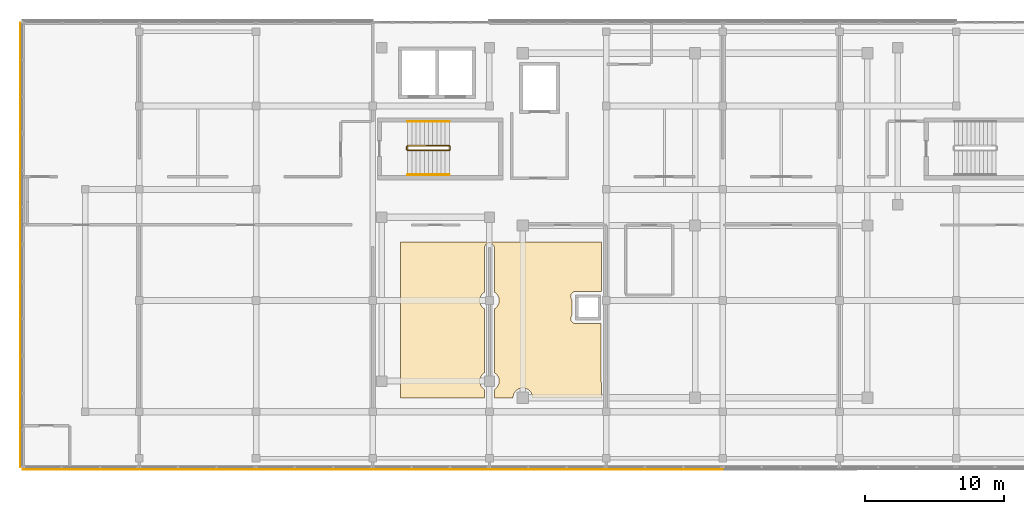
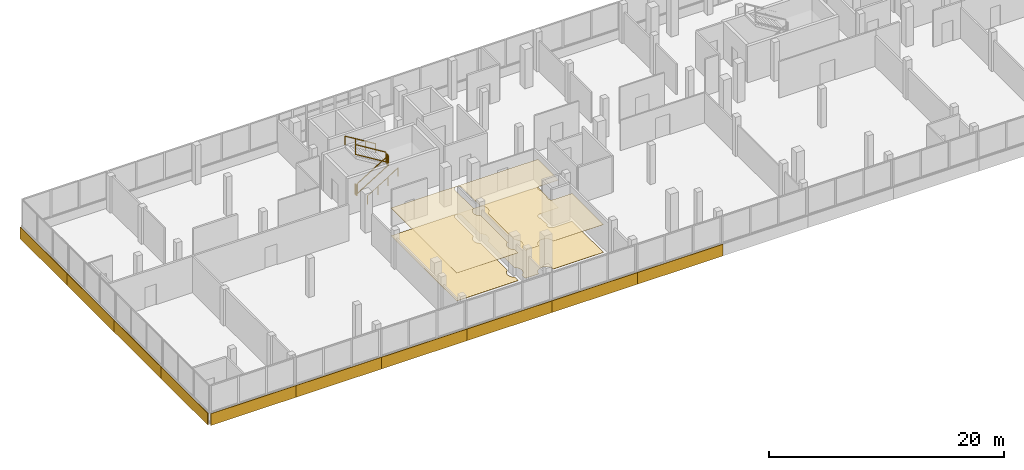
# One storey, part 61 of 66: 12 coverings, 6 railings.
"""IFC4 building model written with IfcOpenShell, lengths in metres."""

from ifc_helpers import new_model, si_unit, direction, frame, origin, origin_2d, place, context, subcontext, project, spatial, polyline, rectangle, circle, outline, extrude, material, layer, layer_set, type_object, element, save


model = new_model("IFC4")

# Units and contexts
model_context = context("Model", 3, precision=1e-05, world=origin(), true_north=direction((0.0, 1.0)))
body_context = subcontext(model_context, "Body", "Model", "MODEL_VIEW")
ifc_project = project(units=[si_unit("LENGTHUNIT", "METRE"), si_unit("AREAUNIT", "SQUARE_METRE"), si_unit("VOLUMEUNIT", "CUBIC_METRE"), si_unit("PLANEANGLEUNIT", "RADIAN"), si_unit("MASSUNIT", "GRAM", prefix="KILO")], contexts=[model_context])

# Site, building, storey
site_placement = place(None, origin())
site = spatial("IfcSite", under=ifc_project, at=site_placement, CompositionType="ELEMENT")
building_placement = place(site_placement, origin())
building = spatial("IfcBuilding", under=site, at=building_placement, Name="Selatvlak General Hospital", CompositionType="ELEMENT")
storey_placement = place(building_placement, frame((0.0, 0.0, 31.35009765625)))
storey = spatial("IfcBuildingStorey", under=building, at=storey_placement, Name="L07", CompositionType="ELEMENT", Elevation=31.35009765625)

# Coverings
ifc_material_1 = material(Name="Acoustic mineral fibre ceiling tile")
ifc_layer_1 = layer(ifc_material_1, 0.02490234375, Name="Acoustic mineral fibre ceiling tile")
ifc_layer_set_1 = layer_set([ifc_layer_1], Name="Acoustic mineral fibre ceiling tile")
covering_type_1 = type_object("IfcCoveringType", Name="COV-CEIL1", PredefinedType="CEILING", material=ifc_layer_set_1)
covering_1_placement = place(storey_placement, frame((0.0, 0.0, 2.885009765625)))
element("IfcCovering", 1, at=covering_1_placement, inside=storey, type_object=covering_type_1, Name="L07 clinical acoustic ceiling 015", PredefinedType="CEILING", context=body_context, shape_type="SweptSolid", body=[
    extrude(outline(polyline([(50.0, 104.199951171875), (64.449951171875, 104.199951171875), (64.449951171875, 100.64599609375), (64.39990234375, 100.64990234375), (62.60009765625, 100.64990234375), (62.56591796875, 100.64794921875), (62.531982421875, 100.64306640625), (62.498046875, 100.635009765625), (62.466064453125, 100.623046875), (62.43505859375, 100.60888671875), (62.406005859375, 100.591064453125), (62.3779296875, 100.571044921875), (62.35302734375, 100.547119140625), (62.3291015625, 100.52197265625), (62.30908203125, 100.493896484375), (62.291015625, 100.465087890625), (62.277099609375, 100.43408203125), (62.264892578125, 100.402099609375), (62.257080078125, 100.367919921875), (62.251953125, 100.333984375), (62.25, 100.300048828125), (62.251953125, 100.26611328125), (62.257080078125, 100.23193359375), (62.264892578125, 100.197998046875), (62.277099609375, 100.166015625), (62.291015625, 100.135009765625), (62.30908203125, 100.10595703125), (62.3291015625, 100.077880859375), (62.35009765625, 100.054931640625), (62.35009765625, 98.945068359375), (62.3291015625, 98.922119140625), (62.30908203125, 98.89404296875), (62.291015625, 98.864990234375), (62.277099609375, 98.833984375), (62.264892578125, 98.802001953125), (62.257080078125, 98.76806640625), (62.251953125, 98.73388671875), (62.25, 98.699951171875), (62.251953125, 98.666015625), (62.257080078125, 98.632080078125), (62.264892578125, 98.597900390625), (62.277099609375, 98.56591796875), (62.291015625, 98.534912109375), (62.30908203125, 98.506103515625), (62.3291015625, 98.47802734375), (62.35302734375, 98.452880859375), (62.3779296875, 98.428955078125), (62.406005859375, 98.408935546875), (62.43505859375, 98.39111328125), (62.466064453125, 98.376953125), (62.498046875, 98.364990234375), (62.531982421875, 98.35693359375), (62.56591796875, 98.35205078125), (62.60009765625, 98.35009765625), (64.39990234375, 98.35009765625), (64.43408203125, 98.35205078125), (64.449951171875, 93.0), (59.5, 93.0), (59.4970703125, 93.069091796875), (59.487060546875, 93.136962890625), (59.469970703125, 93.202880859375), (59.447021484375, 93.26806640625), (59.4169921875, 93.330078125), (59.382080078125, 93.388916015625), (59.341064453125, 93.444091796875), (59.294921875, 93.4951171875), (59.243896484375, 93.541015625), (59.18896484375, 93.58203125), (59.1298828125, 93.616943359375), (59.068115234375, 93.64697265625), (59.0029296875, 93.669921875), (58.93701171875, 93.68701171875), (58.868896484375, 93.697021484375), (58.800048828125, 93.699951171875), (58.73095703125, 93.697021484375), (58.6630859375, 93.68701171875), (58.596923828125, 93.669921875), (58.531982421875, 93.64697265625), (58.469970703125, 93.616943359375), (58.410888671875, 93.58203125), (58.35595703125, 93.541015625), (58.304931640625, 93.4951171875), (58.259033203125, 93.444091796875), (58.218017578125, 93.388916015625), (58.18310546875, 93.330078125), (58.153076171875, 93.26806640625), (58.1298828125, 93.202880859375), (58.113037109375, 93.136962890625), (58.10302734375, 93.069091796875), (58.10009765625, 93.0), (56.75, 93.0), (56.75, 93.594970703125), (56.7890625, 93.617919921875), (56.843994140625, 93.658935546875), (56.89501953125, 93.705078125), (56.94091796875, 93.756103515625), (56.98193359375, 93.81103515625), (57.01708984375, 93.8701171875), (57.047119140625, 93.931884765625), (57.070068359375, 93.9970703125), (57.0869140625, 94.06298828125), (57.096923828125, 94.131103515625), (57.10009765625, 94.199951171875), (57.096923828125, 94.26904296875), (57.0869140625, 94.3369140625), (57.070068359375, 94.403076171875), (57.047119140625, 94.468017578125), (57.01708984375, 94.530029296875), (56.98193359375, 94.589111328125), (56.94091796875, 94.64404296875), (56.89501953125, 94.695068359375), (56.843994140625, 94.740966796875), (56.7890625, 94.781982421875), (56.75, 94.804931640625), (56.75, 99.39501953125), (56.7890625, 99.41796875), (56.843994140625, 99.458984375), (56.89501953125, 99.5048828125), (56.94091796875, 99.555908203125), (56.98193359375, 99.611083984375), (57.01708984375, 99.669921875), (57.047119140625, 99.73193359375), (57.070068359375, 99.797119140625), (57.0869140625, 99.863037109375), (57.096923828125, 99.930908203125), (57.10009765625, 100.0), (57.096923828125, 100.069091796875), (57.0869140625, 100.136962890625), (57.070068359375, 100.202880859375), (57.047119140625, 100.26806640625), (57.01708984375, 100.330078125), (56.98193359375, 100.388916015625), (56.94091796875, 100.444091796875), (56.89501953125, 100.4951171875), (56.843994140625, 100.541015625), (56.7890625, 100.58203125), (56.75, 100.60498046875), (56.75, 103.7900390625), (56.748046875, 103.823974609375), (56.742919921875, 103.85791015625), (56.735107421875, 103.89208984375), (56.722900390625, 103.924072265625), (56.708984375, 103.955078125), (56.69091796875, 103.98388671875), (56.6708984375, 104.011962890625), (56.64697265625, 104.037109375), (56.6220703125, 104.06103515625), (56.593994140625, 104.0810546875), (56.56494140625, 104.09912109375), (56.533935546875, 104.113037109375), (56.501953125, 104.125), (56.468017578125, 104.133056640625), (56.43408203125, 104.137939453125), (56.39990234375, 104.139892578125), (56.365966796875, 104.137939453125), (56.33203125, 104.133056640625), (56.298095703125, 104.125), (56.26611328125, 104.113037109375), (56.235107421875, 104.09912109375), (56.2060546875, 104.0810546875), (56.177978515625, 104.06103515625), (56.153076171875, 104.037109375), (56.12890625, 104.011962890625), (56.10888671875, 103.98388671875), (56.091064453125, 103.955078125), (56.076904296875, 103.924072265625), (56.06494140625, 103.89208984375), (56.056884765625, 103.85791015625), (56.052001953125, 103.823974609375), (56.050048828125, 103.7900390625), (56.050048828125, 100.60498046875), (56.010986328125, 100.58203125), (55.9560546875, 100.541015625), (55.905029296875, 100.4951171875), (55.85888671875, 100.444091796875), (55.818115234375, 100.388916015625), (55.782958984375, 100.330078125), (55.7529296875, 100.26806640625), (55.72998046875, 100.202880859375), (55.712890625, 100.136962890625), (55.702880859375, 100.069091796875), (55.699951171875, 100.0), (55.702880859375, 99.930908203125), (55.712890625, 99.863037109375), (55.72998046875, 99.797119140625), (55.7529296875, 99.73193359375), (55.782958984375, 99.669921875), (55.818115234375, 99.611083984375), (55.85888671875, 99.555908203125), (55.905029296875, 99.5048828125), (55.9560546875, 99.458984375), (56.010986328125, 99.41796875), (56.050048828125, 99.39501953125), (56.050048828125, 94.804931640625), (56.010986328125, 94.781982421875), (55.9560546875, 94.740966796875), (55.905029296875, 94.695068359375), (55.85888671875, 94.64404296875), (55.818115234375, 94.589111328125), (55.782958984375, 94.530029296875), (55.7529296875, 94.468017578125), (55.72998046875, 94.403076171875), (55.712890625, 94.3369140625), (55.702880859375, 94.26904296875), (55.699951171875, 94.199951171875), (55.702880859375, 94.131103515625), (55.712890625, 94.06298828125), (55.72998046875, 93.9970703125), (55.7529296875, 93.931884765625), (55.782958984375, 93.8701171875), (55.818115234375, 93.81103515625), (55.85888671875, 93.756103515625), (55.905029296875, 93.705078125), (55.9560546875, 93.658935546875), (56.010986328125, 93.617919921875), (56.050048828125, 93.594970703125), (56.050048828125, 93.0), (50.0, 93.0), (50.0, 104.199951171875)])), origin(), (0.0, 0.0, 1.0), 0.02490234375),
])
ifc_material_2 = material(Name="Homogeneous anti-static hospital vinyl flooring")
ifc_layer_2 = layer(ifc_material_2, 0.014892578125, Name="Homogeneous anti-static hospital vinyl flooring")
ifc_layer_set_2 = layer_set([ifc_layer_2], Name="Homogeneous anti-static hospital vinyl flooring")
covering_type_2 = type_object("IfcCoveringType", Name="COV-FLR1", PredefinedType="FLOORING", material=ifc_layer_set_2)
covering_2_placement = place(storey_placement, origin())
element("IfcCovering", 2, at=covering_2_placement, inside=storey, type_object=covering_type_2, Name="L07 seamless vinyl flooring 015", PredefinedType="FLOORING", context=body_context, shape_type="SweptSolid", body=[
    extrude(outline(polyline([(50.0, 104.199951171875), (64.449951171875, 104.199951171875), (64.449951171875, 100.64599609375), (64.39990234375, 100.64990234375), (62.60009765625, 100.64990234375), (62.56591796875, 100.64794921875), (62.531982421875, 100.64306640625), (62.498046875, 100.635009765625), (62.466064453125, 100.623046875), (62.43505859375, 100.60888671875), (62.406005859375, 100.591064453125), (62.3779296875, 100.571044921875), (62.35302734375, 100.547119140625), (62.3291015625, 100.52197265625), (62.30908203125, 100.493896484375), (62.291015625, 100.465087890625), (62.277099609375, 100.43408203125), (62.264892578125, 100.402099609375), (62.257080078125, 100.367919921875), (62.251953125, 100.333984375), (62.25, 100.300048828125), (62.251953125, 100.26611328125), (62.257080078125, 100.23193359375), (62.264892578125, 100.197998046875), (62.277099609375, 100.166015625), (62.291015625, 100.135009765625), (62.30908203125, 100.10595703125), (62.3291015625, 100.077880859375), (62.35009765625, 100.054931640625), (62.35009765625, 98.945068359375), (62.3291015625, 98.922119140625), (62.30908203125, 98.89404296875), (62.291015625, 98.864990234375), (62.277099609375, 98.833984375), (62.264892578125, 98.802001953125), (62.257080078125, 98.76806640625), (62.251953125, 98.73388671875), (62.25, 98.699951171875), (62.251953125, 98.666015625), (62.257080078125, 98.632080078125), (62.264892578125, 98.597900390625), (62.277099609375, 98.56591796875), (62.291015625, 98.534912109375), (62.30908203125, 98.506103515625), (62.3291015625, 98.47802734375), (62.35302734375, 98.452880859375), (62.3779296875, 98.428955078125), (62.406005859375, 98.408935546875), (62.43505859375, 98.39111328125), (62.466064453125, 98.376953125), (62.498046875, 98.364990234375), (62.531982421875, 98.35693359375), (62.56591796875, 98.35205078125), (62.60009765625, 98.35009765625), (64.39990234375, 98.35009765625), (64.43408203125, 98.35205078125), (64.449951171875, 93.0), (59.5, 93.0), (59.4970703125, 93.069091796875), (59.487060546875, 93.136962890625), (59.469970703125, 93.202880859375), (59.447021484375, 93.26806640625), (59.4169921875, 93.330078125), (59.382080078125, 93.388916015625), (59.341064453125, 93.444091796875), (59.294921875, 93.4951171875), (59.243896484375, 93.541015625), (59.18896484375, 93.58203125), (59.1298828125, 93.616943359375), (59.068115234375, 93.64697265625), (59.0029296875, 93.669921875), (58.93701171875, 93.68701171875), (58.868896484375, 93.697021484375), (58.800048828125, 93.699951171875), (58.73095703125, 93.697021484375), (58.6630859375, 93.68701171875), (58.596923828125, 93.669921875), (58.531982421875, 93.64697265625), (58.469970703125, 93.616943359375), (58.410888671875, 93.58203125), (58.35595703125, 93.541015625), (58.304931640625, 93.4951171875), (58.259033203125, 93.444091796875), (58.218017578125, 93.388916015625), (58.18310546875, 93.330078125), (58.153076171875, 93.26806640625), (58.1298828125, 93.202880859375), (58.113037109375, 93.136962890625), (58.10302734375, 93.069091796875), (58.10009765625, 93.0), (56.75, 93.0), (56.75, 93.594970703125), (56.7890625, 93.617919921875), (56.843994140625, 93.658935546875), (56.89501953125, 93.705078125), (56.94091796875, 93.756103515625), (56.98193359375, 93.81103515625), (57.01708984375, 93.8701171875), (57.047119140625, 93.931884765625), (57.070068359375, 93.9970703125), (57.0869140625, 94.06298828125), (57.096923828125, 94.131103515625), (57.10009765625, 94.199951171875), (57.096923828125, 94.26904296875), (57.0869140625, 94.3369140625), (57.070068359375, 94.403076171875), (57.047119140625, 94.468017578125), (57.01708984375, 94.530029296875), (56.98193359375, 94.589111328125), (56.94091796875, 94.64404296875), (56.89501953125, 94.695068359375), (56.843994140625, 94.740966796875), (56.7890625, 94.781982421875), (56.75, 94.804931640625), (56.75, 99.39501953125), (56.7890625, 99.41796875), (56.843994140625, 99.458984375), (56.89501953125, 99.5048828125), (56.94091796875, 99.555908203125), (56.98193359375, 99.611083984375), (57.01708984375, 99.669921875), (57.047119140625, 99.73193359375), (57.070068359375, 99.797119140625), (57.0869140625, 99.863037109375), (57.096923828125, 99.930908203125), (57.10009765625, 100.0), (57.096923828125, 100.069091796875), (57.0869140625, 100.136962890625), (57.070068359375, 100.202880859375), (57.047119140625, 100.26806640625), (57.01708984375, 100.330078125), (56.98193359375, 100.388916015625), (56.94091796875, 100.444091796875), (56.89501953125, 100.4951171875), (56.843994140625, 100.541015625), (56.7890625, 100.58203125), (56.75, 100.60498046875), (56.75, 103.7900390625), (56.748046875, 103.823974609375), (56.742919921875, 103.85791015625), (56.735107421875, 103.89208984375), (56.722900390625, 103.924072265625), (56.708984375, 103.955078125), (56.69091796875, 103.98388671875), (56.6708984375, 104.011962890625), (56.64697265625, 104.037109375), (56.6220703125, 104.06103515625), (56.593994140625, 104.0810546875), (56.56494140625, 104.09912109375), (56.533935546875, 104.113037109375), (56.501953125, 104.125), (56.468017578125, 104.133056640625), (56.43408203125, 104.137939453125), (56.39990234375, 104.139892578125), (56.365966796875, 104.137939453125), (56.33203125, 104.133056640625), (56.298095703125, 104.125), (56.26611328125, 104.113037109375), (56.235107421875, 104.09912109375), (56.2060546875, 104.0810546875), (56.177978515625, 104.06103515625), (56.153076171875, 104.037109375), (56.12890625, 104.011962890625), (56.10888671875, 103.98388671875), (56.091064453125, 103.955078125), (56.076904296875, 103.924072265625), (56.06494140625, 103.89208984375), (56.056884765625, 103.85791015625), (56.052001953125, 103.823974609375), (56.050048828125, 103.7900390625), (56.050048828125, 100.60498046875), (56.010986328125, 100.58203125), (55.9560546875, 100.541015625), (55.905029296875, 100.4951171875), (55.85888671875, 100.444091796875), (55.818115234375, 100.388916015625), (55.782958984375, 100.330078125), (55.7529296875, 100.26806640625), (55.72998046875, 100.202880859375), (55.712890625, 100.136962890625), (55.702880859375, 100.069091796875), (55.699951171875, 100.0), (55.702880859375, 99.930908203125), (55.712890625, 99.863037109375), (55.72998046875, 99.797119140625), (55.7529296875, 99.73193359375), (55.782958984375, 99.669921875), (55.818115234375, 99.611083984375), (55.85888671875, 99.555908203125), (55.905029296875, 99.5048828125), (55.9560546875, 99.458984375), (56.010986328125, 99.41796875), (56.050048828125, 99.39501953125), (56.050048828125, 94.804931640625), (56.010986328125, 94.781982421875), (55.9560546875, 94.740966796875), (55.905029296875, 94.695068359375), (55.85888671875, 94.64404296875), (55.818115234375, 94.589111328125), (55.782958984375, 94.530029296875), (55.7529296875, 94.468017578125), (55.72998046875, 94.403076171875), (55.712890625, 94.3369140625), (55.702880859375, 94.26904296875), (55.699951171875, 94.199951171875), (55.702880859375, 94.131103515625), (55.712890625, 94.06298828125), (55.72998046875, 93.9970703125), (55.7529296875, 93.931884765625), (55.782958984375, 93.8701171875), (55.818115234375, 93.81103515625), (55.85888671875, 93.756103515625), (55.905029296875, 93.705078125), (55.9560546875, 93.658935546875), (56.010986328125, 93.617919921875), (56.050048828125, 93.594970703125), (56.050048828125, 93.0), (50.0, 93.0), (50.0, 104.199951171875)])), origin(), (0.0, 0.0, 1.0), 0.014892578125),
])
ifc_material_3 = material(Name="White Bauhaus fair-faced cladding panel")
ifc_layer_3 = layer(ifc_material_3, 0.054931640625, Name="White Bauhaus fair-faced cladding panel")
ifc_layer_set_3 = layer_set([ifc_layer_3], Name="White Bauhaus fair-faced cladding panel")
covering_type_3 = type_object("IfcCoveringType", Name="COV-WHT1", PredefinedType="CLADDING", material=ifc_layer_set_3)
covering_3_placement = place(storey_placement, frame((22.635009765625, 92.0, -0.2802734375), z_axis=(0.0, 0.0, 1.0), x_axis=(0.0, 1.0, 0.0)))
element("IfcCovering", 3, at=covering_3_placement, inside=storey, type_object=covering_type_3, Name="L07 Bauhaus horizontal white spandrel band 0493", PredefinedType="CLADDING", context=body_context, shape_type="SweptSolid", body=[
    extrude(rectangle(XDim=8.0, YDim=0.054931640625, at=origin_2d()), origin(), (0.0, 0.0, 1.0), 1.219970703125),
])
covering_4_placement = place(storey_placement, frame((22.635009765625, 99.9990234375, -0.2802734375), z_axis=(0.0, 0.0, 1.0), x_axis=(0.0, 1.0, 0.0)))
element("IfcCovering", 4, at=covering_4_placement, inside=storey, type_object=covering_type_3, Name="L07 Bauhaus horizontal white spandrel band 0494", PredefinedType="CLADDING", context=body_context, shape_type="SweptSolid", body=[
    extrude(rectangle(XDim=7.9990234375, YDim=0.054931640625, at=origin_2d()), origin(), (0.0, 0.0, 1.0), 1.219970703125),
])
for number, where, z_axis, x_axis, name in (
    (5, (22.635009765625, 107.9990234375, -0.2802734375), (0.0, 0.0, 1.0), (0.0, 1.0, 0.0), "L07 Bauhaus horizontal white spandrel band 0495"),
    (6, (22.635009765625, 115.9990234375, -0.2802734375), (0.0, 0.0, 1.0), (0.0, 1.0, 0.0), "L07 Bauhaus horizontal white spandrel band 0496"),
):
    element("IfcCovering", number, at=place(storey_placement, frame(where, z_axis=z_axis, x_axis=x_axis)), inside=storey, type_object=covering_type_3, Name=name, PredefinedType="CLADDING", context=body_context, shape_type="SweptSolid", body=[
        extrude(rectangle(XDim=8.0, YDim=0.054931640625, at=origin_2d()), origin(), (0.0, 0.0, 1.0), 1.219970703125),
    ])
for number, where, z_axis, x_axis, name in (
    (7, (69.0, 87.8349609375, -0.2802734375), (0.0, 0.0, 1.0), (-1.0, 0.0, 0.0), "L07 Bauhaus horizontal white spandrel band 0528"),
    (8, (60.60009765625, 87.8349609375, -0.2802734375), (0.0, 0.0, 1.0), (-1.0, 0.0, 0.0), "L07 Bauhaus horizontal white spandrel band 0529"),
    (9, (52.199951171875, 87.8349609375, -0.2802734375), (0.0, 0.0, 1.0), (-1.0, 0.0, 0.0), "L07 Bauhaus horizontal white spandrel band 0530"),
    (10, (43.800048828125, 87.8349609375, -0.2802734375), (0.0, 0.0, 1.0), (-1.0, 0.0, 0.0), "L07 Bauhaus horizontal white spandrel band 0531"),
    (11, (35.39990234375, 87.8349609375, -0.2802734375), (0.0, 0.0, 1.0), (-1.0, 0.0, 0.0), "L07 Bauhaus horizontal white spandrel band 0532"),
    (12, (27.0, 87.8349609375, -0.2802734375), (0.0, 0.0, 1.0), (-1.0, 0.0, 0.0), "L07 Bauhaus horizontal white spandrel band 0533"),
):
    element("IfcCovering", number, at=place(storey_placement, frame(where, z_axis=z_axis, x_axis=x_axis)), inside=storey, type_object=covering_type_3, Name=name, PredefinedType="CLADDING", context=body_context, shape_type="SweptSolid", body=[
        extrude(rectangle(XDim=8.39990234375, YDim=0.054931640625, at=origin_2d()), origin(), (0.0, 0.0, 1.0), 1.219970703125),
    ])

# Railings
ifc_material_4 = material(Name="Stainless steel 316 stair guard", Category="steel")
railing_type_1 = type_object("IfcRailingType", Name="RAIL-STG", PredefinedType="GUARDRAIL", material=ifc_material_4)
railing_1_placement = place(storey_placement, frame((50.510009765625, 110.81005859375, 0.18408203125)))
element("IfcRailing", 13, at=railing_1_placement, inside=storey, type_object=railing_type_1, Name="L07 ST-01 stair guard 1", PredefinedType="GUARDRAIL", context=body_context, shape_type="SweptSolid", body=[
    extrude(rectangle(XDim=0.068115234375, YDim=0.068115234375, at=origin_2d()), frame((0.00244140625, 0.0, 1.067626953125), z_axis=(0.852333972304, 0.0, 0.522997896417), x_axis=(0.0, 1.0, 0.0)), (0.0, 0.0, 1.0), 3.513916015625),
    extrude(rectangle(XDim=0.068115234375, YDim=0.068115234375, at=origin_2d()), frame((0.00244140625, 0.0, 0.050537109375), z_axis=(0.852333972304, 0.0, 0.522997896417), x_axis=(0.0, 1.0, 0.0)), (0.0, 0.0, 1.0), 3.513916015625),
    extrude(rectangle(XDim=0.055908203125, YDim=0.055908203125, at=origin_2d()), origin(), (0.0, 0.0, 1.0), 1.029052734375),
    extrude(rectangle(XDim=0.055908203125, YDim=0.055908203125, at=origin_2d()), frame((3.0, 0.0, 1.8408203125)), (0.0, 0.0, 1.0), 1.029052734375),
])
railing_2_placement = place(storey_placement, frame((53.56005859375, 110.860107421875, 2.02490234375)))
element("IfcRailing", 14, at=railing_2_placement, inside=storey, type_object=railing_type_1, Name="L07 ST-01 stair guard 2", PredefinedType="GUARDRAIL", context=body_context, shape_type="SweptSolid", body=[
    extrude(rectangle(XDim=0.068115234375, YDim=0.068115234375, at=origin_2d()), frame((0.0, 0.0029296875, 1.06591796875), z_axis=(0.0, 1.0, 0.0), x_axis=(-1.0, 0.0, 0.0)), (0.0, 0.0, 1.0), 0.214111328125),
    extrude(rectangle(XDim=0.068115234375, YDim=0.068115234375, at=origin_2d()), frame((0.0, 0.0029296875, 0.049072265625), z_axis=(0.0, 1.0, 0.0), x_axis=(-1.0, 0.0, 0.0)), (0.0, 0.0, 1.0), 0.214111328125),
    extrude(rectangle(XDim=0.055908203125, YDim=0.055908203125, at=origin_2d()), origin(), (0.0, 0.0, 1.0), 1.029052734375),
    extrude(rectangle(XDim=0.055908203125, YDim=0.055908203125, at=origin_2d()), frame((0.0, 0.219970703125, 0.0)), (0.0, 0.0, 1.0), 1.029052734375),
])
railing_3_placement = place(storey_placement, frame((53.510009765625, 111.1298828125, 2.208984375)))
element("IfcRailing", 15, at=railing_3_placement, inside=storey, type_object=railing_type_1, Name="L07 ST-01 stair guard 3", PredefinedType="GUARDRAIL", context=body_context, shape_type="SweptSolid", body=[
    extrude(rectangle(XDim=0.068115234375, YDim=0.068115234375, at=origin_2d()), frame((-0.00244140625, 0.0, 1.067626953125), z_axis=(-0.852333972304, 0.0, 0.522997896417), x_axis=(0.0, -1.0, 0.0)), (0.0, 0.0, 1.0), 3.513916015625),
    extrude(rectangle(XDim=0.068115234375, YDim=0.068115234375, at=origin_2d()), frame((-0.00244140625, 0.0, 0.050537109375), z_axis=(-0.852333972304, 0.0, 0.522997896417), x_axis=(0.0, -1.0, 0.0)), (0.0, 0.0, 1.0), 3.513916015625),
    extrude(rectangle(XDim=0.055908203125, YDim=0.055908203125, at=origin_2d()), origin(), (0.0, 0.0, 1.0), 1.029052734375),
    extrude(rectangle(XDim=0.055908203125, YDim=0.055908203125, at=origin_2d()), frame((-3.0, 0.0, 1.8408203125)), (0.0, 0.0, 1.0), 1.029052734375),
])
railing_4_placement = place(storey_placement, frame((50.4599609375, 110.860107421875, 0.0)))
element("IfcRailing", 16, at=railing_4_placement, inside=storey, type_object=railing_type_1, Name="L07 ST-01 stair guard 4", PredefinedType="GUARDRAIL", context=body_context, shape_type="SweptSolid", body=[
    extrude(rectangle(XDim=0.068115234375, YDim=0.068115234375, at=origin_2d()), frame((0.0, 0.0029296875, 1.06591796875), z_axis=(0.0, 1.0, 0.0), x_axis=(-1.0, 0.0, 0.0)), (0.0, 0.0, 1.0), 0.214111328125),
    extrude(rectangle(XDim=0.068115234375, YDim=0.068115234375, at=origin_2d()), frame((0.0, 0.0029296875, 0.049072265625), z_axis=(0.0, 1.0, 0.0), x_axis=(-1.0, 0.0, 0.0)), (0.0, 0.0, 1.0), 0.214111328125),
    extrude(rectangle(XDim=0.055908203125, YDim=0.055908203125, at=origin_2d()), origin(), (0.0, 0.0, 1.0), 1.029052734375),
    extrude(rectangle(XDim=0.055908203125, YDim=0.055908203125, at=origin_2d()), frame((0.0, 0.219970703125, 0.0)), (0.0, 0.0, 1.0), 1.029052734375),
])
ifc_material_5 = material(Name="Stainless steel 316 handrail", Category="steel")
railing_type_2 = type_object("IfcRailingType", Name="RAIL-STH", PredefinedType="HANDRAIL", material=ifc_material_5)
railing_5_placement = place(storey_placement, frame((50.510009765625, 109.050048828125, 0.18408203125)))
element("IfcRailing", 17, at=railing_5_placement, inside=storey, type_object=railing_type_2, Name="L07 ST-01 stair handrail 1", PredefinedType="HANDRAIL", context=body_context, shape_type="SweptSolid", body=[
    extrude(circle(Radius=0.02392578125, at=origin_2d()), frame((0.00244140625, 0.0, 0.87744140625), z_axis=(0.852333972304, 0.0, 0.522997896417), x_axis=(0.0, 1.0, 0.0)), (0.0, 0.0, 1.0), 3.513916015625),
    extrude(circle(Radius=0.02099609375, at=origin_2d()), origin(), (0.0, 0.0, 1.0), 0.848876953125),
    extrude(circle(Radius=0.02099609375, at=origin_2d()), frame((1.0, 0.0, 0.613525390625)), (0.0, 0.0, 1.0), 0.848876953125),
    extrude(circle(Radius=0.02099609375, at=origin_2d()), frame((2.0, 0.0, 1.227294921875)), (0.0, 0.0, 1.0), 0.848876953125),
    extrude(circle(Radius=0.02099609375, at=origin_2d()), frame((3.0, 0.0, 1.8408203125)), (0.0, 0.0, 1.0), 0.848876953125),
])
railing_6_placement = place(storey_placement, frame((53.510009765625, 112.889892578125, 2.208984375)))
element("IfcRailing", 18, at=railing_6_placement, inside=storey, type_object=railing_type_2, Name="L07 ST-01 stair handrail 2", PredefinedType="HANDRAIL", context=body_context, shape_type="SweptSolid", body=[
    extrude(circle(Radius=0.02392578125, at=origin_2d()), frame((-0.00244140625, 0.0, 0.87744140625), z_axis=(-0.852333972304, 0.0, 0.522997896417), x_axis=(0.0, -1.0, 0.0)), (0.0, 0.0, 1.0), 3.513916015625),
    extrude(circle(Radius=0.02099609375, at=origin_2d()), origin(), (0.0, 0.0, 1.0), 0.848876953125),
    extrude(circle(Radius=0.02099609375, at=origin_2d()), frame((-1.0, 0.0, 0.613525390625)), (0.0, 0.0, 1.0), 0.848876953125),
    extrude(circle(Radius=0.02099609375, at=origin_2d()), frame((-2.0, 0.0, 1.227294921875)), (0.0, 0.0, 1.0), 0.848876953125),
    extrude(circle(Radius=0.02099609375, at=origin_2d()), frame((-3.0, 0.0, 1.8408203125)), (0.0, 0.0, 1.0), 0.848876953125),
])

save(model, "model.ifc")
